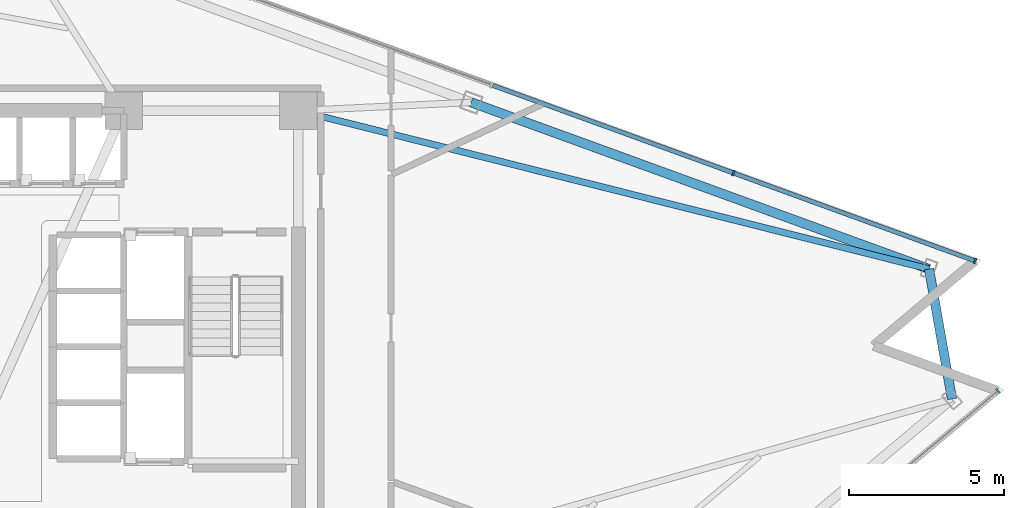
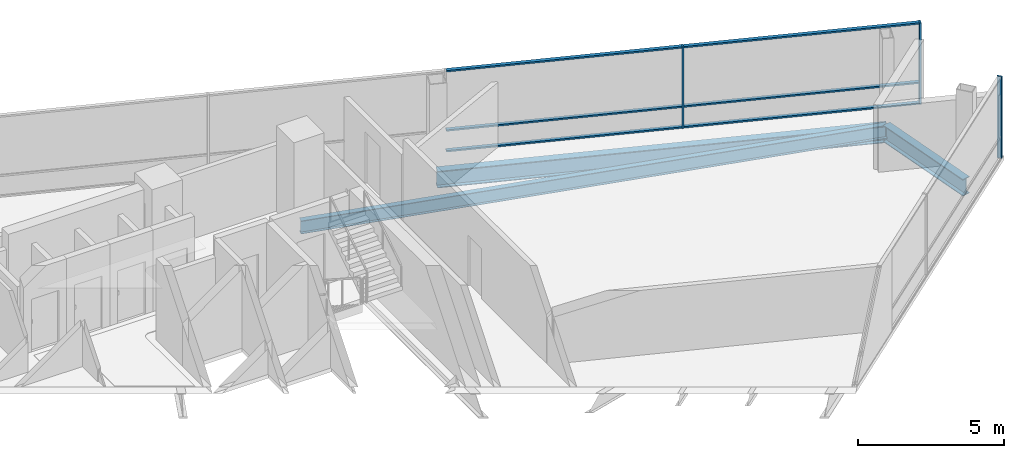
# One storey, part 8 of 16: 9 members, 3 beams, 2 elements without a shape of their own.
"""IFC4 building model written with IfcOpenShell, lengths in metres."""

from ifc_helpers import new_model, si_unit, direction, frame, origin, origin_2d, place, context, subcontext, project, spatial, rectangle, i_section, extrude, material, layer, layer_set, material_profile, profile_set, type_object, element, aggregate, save


model = new_model("IFC4")

# Units and contexts
model_context = context("Model", 3, precision=1e-05, world=origin(), true_north=direction((0.0, 1.0)))
body_context = subcontext(model_context, "Body", "Model", "MODEL_VIEW")
ifc_project = project(units=[si_unit("LENGTHUNIT", "METRE"), si_unit("AREAUNIT", "SQUARE_METRE"), si_unit("VOLUMEUNIT", "CUBIC_METRE"), si_unit("PLANEANGLEUNIT", "RADIAN"), si_unit("MASSUNIT", "GRAM", prefix="KILO")], contexts=[model_context])

# Site, building, storey
site_placement = place(None, origin())
site = spatial("IfcSite", under=ifc_project, at=site_placement, CompositionType="ELEMENT")
building_placement = place(site_placement, origin())
building = spatial("IfcBuilding", under=site, at=building_placement, Name="Tharavind Bronze Gate", CompositionType="ELEMENT")
storey_placement = place(building_placement, frame((0.0, 0.0, 188.5)))
storey = spatial("IfcBuildingStorey", under=building, at=storey_placement, Name="L48", CompositionType="ELEMENT", Elevation=188.5)

# Curtain wall, member
ifc_material_1 = material(Name="Anodised Bronze Aluminium", Category="aluminium")
ifc_layer = layer(ifc_material_1, 0.219970703125)
ifc_layer_set = layer_set([ifc_layer], Name="Anodised Bronze Aluminium")
curtain_wall_type = type_object("IfcCurtainWallType", Name="UNITISED CURTAIN WALL MID OFFICE", PredefinedType="USERDEFINED", material=ifc_layer_set)
curtain_wall_1_placement = place(storey_placement, origin())
curtain_wall_1 = element("IfcCurtainWall", 1, at=curtain_wall_1_placement, inside=storey, type_object=curtain_wall_type, Name="L48 unitised curtain wall mid office CW-L48-S2", ObjectType="UNITISED CURTAIN WALL", PredefinedType="USERDEFINED")
member_type_1 = type_object("IfcMemberType", Name="CURTAIN WALL BRONZE MULLION 65X180", PredefinedType="MULLION", material=ifc_material_1)
member_1_placement = place(storey_placement, frame((31.410888671875, -1.418212890625, 0.0), z_axis=(0.0, 0.0, 1.0), x_axis=(0.766043321242, 0.642788946685, 0.0)))
member_1 = element("IfcMember", 2, at=member_1_placement, type_object=member_type_1, Name="CW-L48-S2 mullion 8", PredefinedType="MULLION", context=body_context, shape_type="SweptSolid", body=[
    extrude(rectangle(XDim=0.06494140625, YDim=0.179931640625, at=origin_2d()), origin(), (0.0, 0.0, 1.0), 3.419921875),
])
aggregate(curtain_wall_1, [member_1])

# Curtain wall, members
curtain_wall_2_placement = place(storey_placement, origin())
curtain_wall_2 = element("IfcCurtainWall", 3, at=curtain_wall_2_placement, inside=storey, type_object=curtain_wall_type, Name="L48 unitised curtain wall mid office CW-L48-S3", ObjectType="UNITISED CURTAIN WALL", PredefinedType="USERDEFINED")
member_2_placement = place(storey_placement, frame((30.67333984375, 2.765380859375, 0.0), z_axis=(0.0, 0.0, 1.0), x_axis=(-0.939692023847, 0.342021783398, 0.0)))
member_2 = element("IfcMember", 4, at=member_2_placement, type_object=member_type_1, Name="CW-L48-S3 mullion 1", PredefinedType="MULLION", context=body_context, shape_type="SweptSolid", body=[
    extrude(rectangle(XDim=0.06494140625, YDim=0.179931640625, at=origin_2d()), origin(), (0.0, 0.0, 1.0), 3.419921875),
])
member_3_placement = place(storey_placement, frame((22.89892578125, 5.594970703125, 0.0), z_axis=(0.0, 0.0, 1.0), x_axis=(-0.939692023847, 0.342021783398, 0.0)))
member_3 = element("IfcMember", 5, at=member_3_placement, type_object=member_type_1, Name="CW-L48-S3 mullion 2", PredefinedType="MULLION", context=body_context, shape_type="SweptSolid", body=[
    extrude(rectangle(XDim=0.06494140625, YDim=0.179931640625, at=origin_2d()), origin(), (0.0, 0.0, 1.0), 3.419921875),
])
member_type_2 = type_object("IfcMemberType", Name="CURTAIN WALL BRONZE TRANSOM 65X140", PredefinedType="USERDEFINED", material=ifc_material_1)
member_4_placement = place(storey_placement, frame((26.7861328125, 4.18017578125, 0.0), z_axis=(0.0, 0.0, 1.0), x_axis=(-0.939692023847, 0.342021783398, 0.0)))
member_4 = element("IfcMember", 6, at=member_4_placement, type_object=member_type_2, Name="CW-L48-S3 transom TB1", ObjectType="TRANSOM", PredefinedType="USERDEFINED", context=body_context, shape_type="SweptSolid", body=[
    extrude(rectangle(XDim=8.220458984375, YDim=0.139892578125, at=origin_2d()), origin(), (0.0, 0.0, 1.0), 0.06494140625),
])
member_5_placement = place(storey_placement, frame((26.7861328125, 4.18017578125, 0.867431640625), z_axis=(0.0, 0.0, 1.0), x_axis=(-0.939692023847, 0.342021783398, 0.0)))
member_5 = element("IfcMember", 7, at=member_5_placement, type_object=member_type_2, Name="CW-L48-S3 transom TS1", ObjectType="TRANSOM", PredefinedType="USERDEFINED", context=body_context, shape_type="SweptSolid", body=[
    extrude(rectangle(XDim=8.220458984375, YDim=0.139892578125, at=origin_2d()), origin(), (0.0, 0.0, 1.0), 0.06494140625),
])
member_6_placement = place(storey_placement, frame((26.7861328125, 4.18017578125, 3.35498046875), z_axis=(0.0, 0.0, 1.0), x_axis=(-0.939692023847, 0.342021783398, 0.0)))
member_6 = element("IfcMember", 8, at=member_6_placement, type_object=member_type_2, Name="CW-L48-S3 transom TT1", ObjectType="TRANSOM", PredefinedType="USERDEFINED", context=body_context, shape_type="SweptSolid", body=[
    extrude(rectangle(XDim=8.220458984375, YDim=0.139892578125, at=origin_2d()), origin(), (0.0, 0.0, 1.0), 0.06494140625),
])
member_7_placement = place(storey_placement, frame((19.01171875, 7.009765625, 0.0), z_axis=(0.0, 0.0, 1.0), x_axis=(-0.939692023847, 0.342021783398, 0.0)))
member_7 = element("IfcMember", 9, at=member_7_placement, type_object=member_type_2, Name="CW-L48-S3 transom TB2", ObjectType="TRANSOM", PredefinedType="USERDEFINED", context=body_context, shape_type="SweptSolid", body=[
    extrude(rectangle(XDim=8.220458984375, YDim=0.139892578125, at=origin_2d()), origin(), (0.0, 0.0, 1.0), 0.06494140625),
])
member_8_placement = place(storey_placement, frame((19.01171875, 7.009765625, 0.867431640625), z_axis=(0.0, 0.0, 1.0), x_axis=(-0.939692023847, 0.342021783398, 0.0)))
member_8 = element("IfcMember", 10, at=member_8_placement, type_object=member_type_2, Name="CW-L48-S3 transom TS2", ObjectType="TRANSOM", PredefinedType="USERDEFINED", context=body_context, shape_type="SweptSolid", body=[
    extrude(rectangle(XDim=8.220458984375, YDim=0.139892578125, at=origin_2d()), origin(), (0.0, 0.0, 1.0), 0.06494140625),
])
member_9_placement = place(storey_placement, frame((19.01171875, 7.009765625, 3.35498046875), z_axis=(0.0, 0.0, 1.0), x_axis=(-0.939692023847, 0.342021783398, 0.0)))
member_9 = element("IfcMember", 11, at=member_9_placement, type_object=member_type_2, Name="CW-L48-S3 transom TT2", ObjectType="TRANSOM", PredefinedType="USERDEFINED", context=body_context, shape_type="SweptSolid", body=[
    extrude(rectangle(XDim=8.220458984375, YDim=0.139892578125, at=origin_2d()), origin(), (0.0, 0.0, 1.0), 0.06494140625),
])
aggregate(curtain_wall_2, [member_2, member_3, member_4, member_5, member_6, member_7, member_8, member_9])

# Beams
ifc_material_2 = material(Name="Steel S355", Category="steel")
ifc_material_profile_1 = material_profile(ifc_material_2, i_section(OverallWidth=0.2099609375, OverallDepth=0.550048828125, WebThickness=0.010986328125, FlangeThickness=0.01708984375, at=origin_2d()), Name="IPE550")
ifc_profile_set_1 = profile_set([ifc_material_profile_1], Name="Steel S355")
beam_type_1 = type_object("IfcBeamType", Name="PRIMARY GIRDER IPE550", PredefinedType="USERDEFINED", material=ifc_profile_set_1)
beam_1_placement = place(storey_placement, frame((29.1962890625, 2.5048828125, -0.455078125), z_axis=(-0.969904582273, 0.243485320471, 0.0), x_axis=(-0.243485320471, -0.969904582273, 0.0)))
element("IfcBeam", 12, at=beam_1_placement, inside=storey, type_object=beam_type_1, Name="L48 primary girder ipe550 BM-L48-RAD09", ObjectType="GIRDER", PredefinedType="USERDEFINED", context=body_context, shape_type="SweptSolid", body=[
    extrude(i_section(OverallWidth=0.2099609375, OverallDepth=0.550048828125, WebThickness=0.010986328125, FlangeThickness=0.01708984375, at=origin_2d()), origin(), (0.0, 0.0, 1.0), 20.92626953125),
])
ifc_material_profile_2 = material_profile(ifc_material_2, i_section(OverallWidth=0.300048828125, OverallDepth=0.699951171875, WebThickness=0.01708984375, FlangeThickness=0.031982421875, at=origin_2d()), Name="HE700B")
ifc_profile_set_2 = profile_set([ifc_material_profile_2], Name="Steel S355")
beam_type_2 = type_object("IfcBeamType", Name="RING GIRDER HE700B", PredefinedType="USERDEFINED", material=ifc_profile_set_2)
beam_2_placement = place(storey_placement, frame((29.933837890625, -1.6787109375, -0.530029296875), z_axis=(-0.173618127207, 0.984813051246, 0.0), x_axis=(-0.984813051246, -0.173618127207, 0.0)))
element("IfcBeam", 13, at=beam_2_placement, inside=storey, type_object=beam_type_2, Name="L48 ring girder he700b BM-L48-PRG08", ObjectType="GIRDER", PredefinedType="USERDEFINED", context=body_context, shape_type="SweptSolid", body=[
    extrude(i_section(OverallWidth=0.300048828125, OverallDepth=0.699951171875, WebThickness=0.01708984375, FlangeThickness=0.031982421875, at=origin_2d()), origin(), (0.0, 0.0, 1.0), 4.248046875),
])
beam_3_placement = place(storey_placement, frame((29.1962890625, 2.5048828125, -0.530029296875), z_axis=(-0.939694739877, 0.342014321115, 0.0), x_axis=(-0.342014321115, -0.939694739877, 0.0)))
element("IfcBeam", 14, at=beam_3_placement, inside=storey, type_object=beam_type_2, Name="L48 ring girder he700b BM-L48-PRG09", ObjectType="GIRDER", PredefinedType="USERDEFINED", context=body_context, shape_type="SweptSolid", body=[
    extrude(i_section(OverallWidth=0.300048828125, OverallDepth=0.699951171875, WebThickness=0.01708984375, FlangeThickness=0.031982421875, at=origin_2d()), origin(), (0.0, 0.0, 1.0), 15.6806640625),
])

save(model, "model.ifc")
